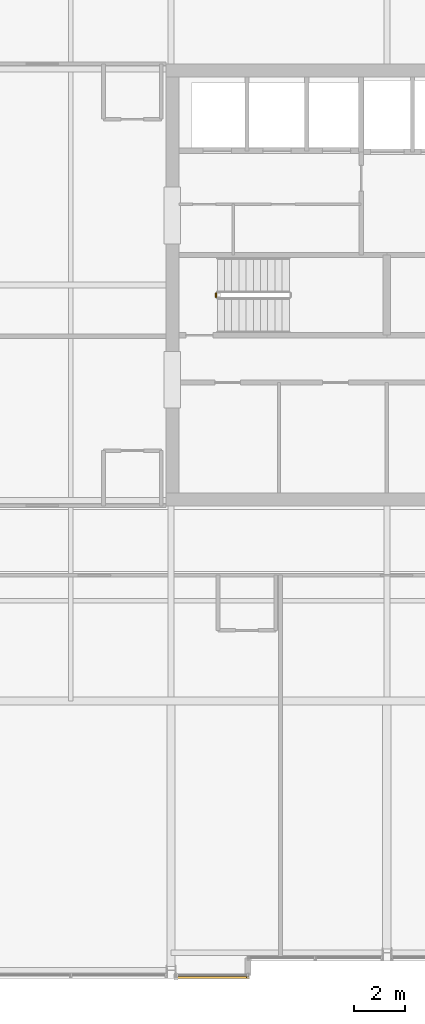
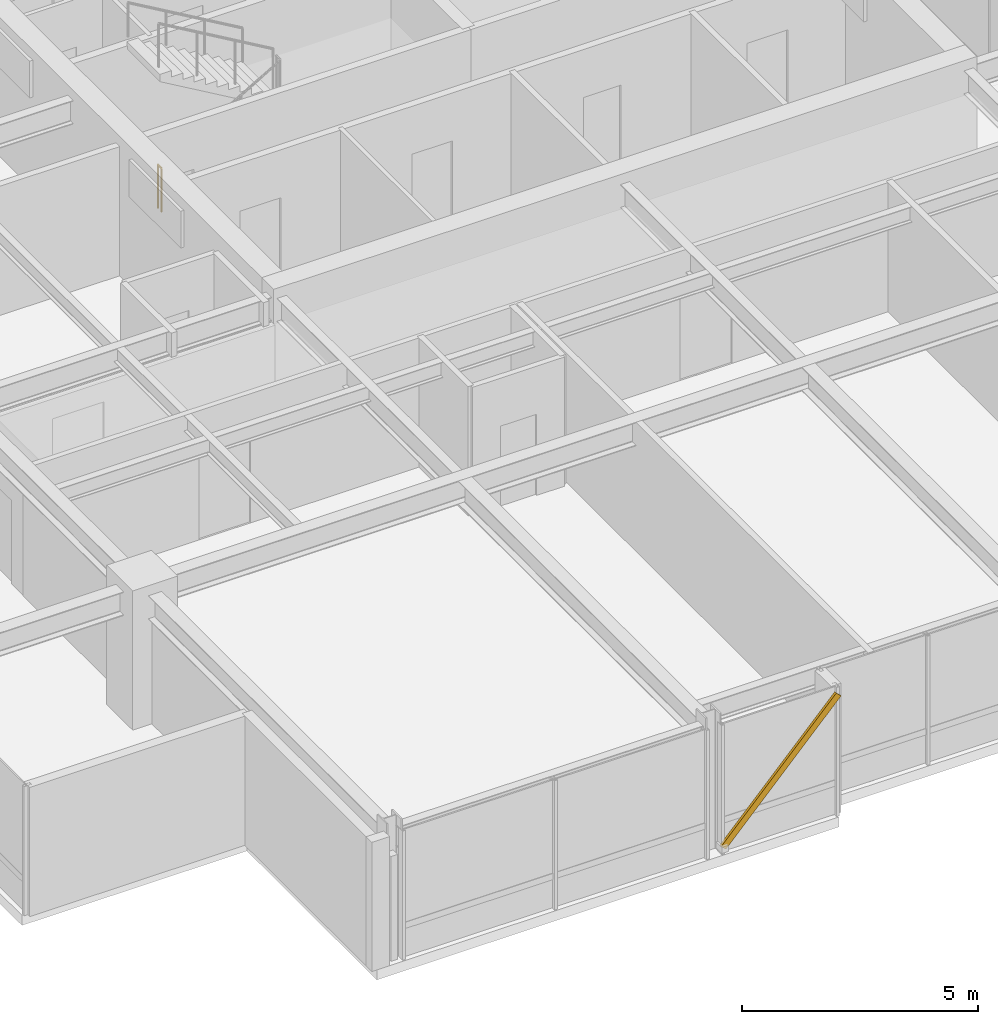
# One storey, part 30 of 32: 1 railing, 1 shading device.
"""IFC4 building model written with IfcOpenShell, lengths in metres."""

from ifc_helpers import new_model, si_unit, direction, frame, origin, origin_2d, place, context, subcontext, project, spatial, hollow_rectangle, circle, extrude, material, material_profile, profile_set, type_object, element, save


model = new_model("IFC4")

# Units and contexts
model_context = context("Model", 3, precision=1e-05, world=origin(), true_north=direction((0.0, 1.0)))
body_context = subcontext(model_context, "Body", "Model", "MODEL_VIEW")
ifc_project = project(units=[si_unit("LENGTHUNIT", "METRE"), si_unit("AREAUNIT", "SQUARE_METRE"), si_unit("VOLUMEUNIT", "CUBIC_METRE"), si_unit("PLANEANGLEUNIT", "RADIAN"), si_unit("MASSUNIT", "GRAM", prefix="KILO")], contexts=[model_context])

# Site, building, storey
site_placement = place(None, origin())
site = spatial("IfcSite", under=ifc_project, at=site_placement, CompositionType="ELEMENT")
building_placement = place(site_placement, origin())
building = spatial("IfcBuilding", under=site, at=building_placement, Name="Drelvath Grand Hotel", CompositionType="ELEMENT")
storey_placement = place(building_placement, frame((0.0, 0.0, 223.10009765625)))
storey = spatial("IfcBuildingStorey", under=building, at=storey_placement, Name="L58", CompositionType="ELEMENT", Elevation=223.10009765625)

# Railing
ifc_material_1 = material(Name="Painted Steel S275", Category="steel")
railing_type = type_object("IfcRailingType", Name="Core Stair Well Guardrail 1100", PredefinedType="GUARDRAIL", material=ifc_material_1)
railing_placement = place(storey_placement, frame((-6.64990234375, 26.52001953125, 0.0)))
element("IfcRailing", 1, at=railing_placement, inside=storey, type_object=railing_type, Name="L58 ST-1 stair guard 4", PredefinedType="GUARDRAIL", context=body_context, shape_type="SweptSolid", body=[
    extrude(circle(Radius=0.02392578125, at=origin_2d()), frame((0.0, 0.0, 1.1259765625), z_axis=(0.0, 1.0, 0.0), x_axis=(-1.0, 0.0, 0.0)), (0.0, 0.0, 1.0), 0.159912109375),
    extrude(circle(Radius=0.02099609375, at=origin_2d()), origin(), (0.0, 0.0, 1.0), 1.101806640625),
    extrude(circle(Radius=0.02099609375, at=origin_2d()), frame((0.0, 0.159912109375, 0.0)), (0.0, 0.0, 1.0), 1.101806640625),
])

# Shading device
ifc_material_2 = material(Name="Platinum-Mist Anodised Aluminium", Category="aluminium")
ifc_material_profile = material_profile(ifc_material_2, hollow_rectangle(XDim=0.06494140625, YDim=0.159912109375, WallThickness=0.00390625, at=origin_2d()), Name="HSS160X65X4")
ifc_profile_set = profile_set([ifc_material_profile], Name="Platinum-Mist Anodised Aluminium")
shading_device_type = type_object("IfcShadingDeviceType", Name="Diagonal Solar Fin Platinum Anodised HSS160X65X4", PredefinedType="USERDEFINED", material=ifc_profile_set)
shading_device_placement = place(storey_placement, frame((-8.214599609375, 0.0400390625, 0.179931640625), z_axis=(0.686658509865, 0.0, 0.726980117218), x_axis=(0.0, 1.0, 0.0)))
element("IfcShadingDevice", 2, at=shading_device_placement, inside=storey, type_object=shading_device_type, Name="L58 Diagonal Anodised Fin CW05-L58-SW3", ObjectType="FIN", PredefinedType="USERDEFINED", context=body_context, shape_type="SweptSolid", body=[
    extrude(hollow_rectangle(XDim=0.06494140625, YDim=0.159912109375, WallThickness=0.00390625, at=origin_2d()), origin(), (0.0, 0.0, 1.0), 4.09912109375),
])

save(model, "model.ifc")
